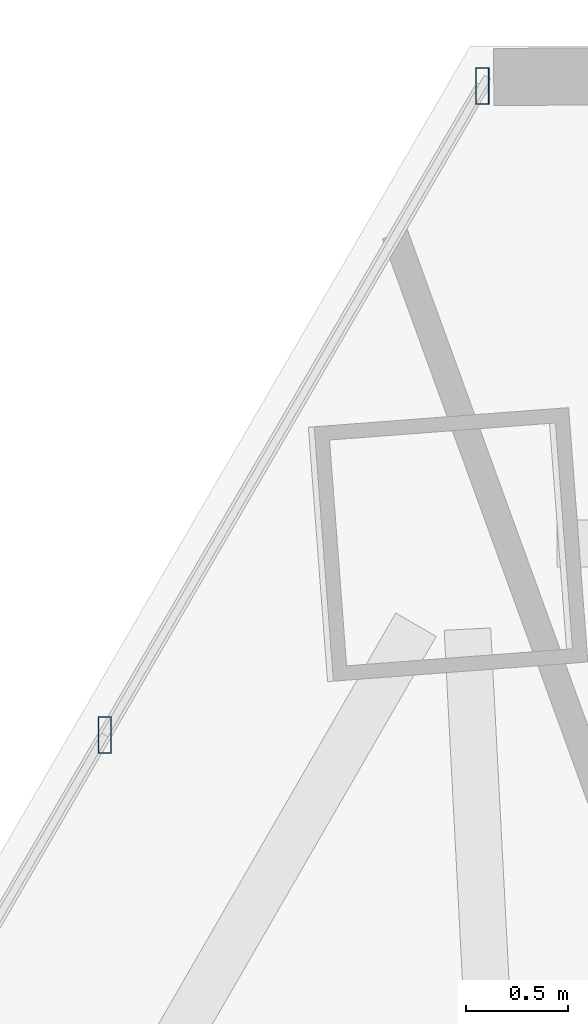
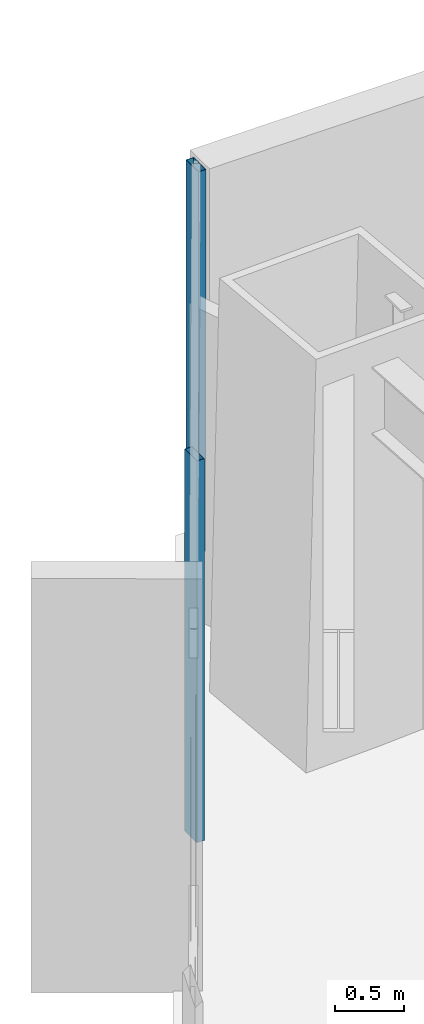
# One storey, part 26 of 36: 2 members, 1 element without a shape of its own.
"""IFC4 building model written with IfcOpenShell, lengths in metres."""

from ifc_helpers import new_model, si_unit, direction, frame, origin, origin_2d, place, context, subcontext, project, spatial, hollow_rectangle, extrude, source, transform, mapped, material, material_profile, profile_set, type_object, type_shapes, element, aggregate, save


model = new_model("IFC4")

# Units and contexts
model_context = context("Model", 3, precision=1e-05, world=origin(), true_north=direction((0.0, 1.0)))
body_context = subcontext(model_context, "Body", "Model", "MODEL_VIEW")
ifc_project = project(units=[si_unit("LENGTHUNIT", "METRE"), si_unit("AREAUNIT", "SQUARE_METRE"), si_unit("VOLUMEUNIT", "CUBIC_METRE"), si_unit("PLANEANGLEUNIT", "RADIAN"), si_unit("MASSUNIT", "GRAM", prefix="KILO")], contexts=[model_context])

# Site, building, storey
site_placement = place(None, origin())
site = spatial("IfcSite", under=ifc_project, at=site_placement, CompositionType="ELEMENT")
building_placement = place(site_placement, origin())
building = spatial("IfcBuilding", under=site, at=building_placement, Name="Caelisora Broadcast Tower", CompositionType="ELEMENT")
storey_placement = place(building_placement, frame((0.0, 0.0, 64.10009765625)))
storey = spatial("IfcBuildingStorey", under=building, at=storey_placement, Name="L16", CompositionType="ELEMENT", Elevation=64.10009765625)

# Curtain wall, members
ifc_material_1 = material(Name="Unitised Aluminium and Low-E Glass Curtain Wall", Category="glass")
curtain_wall_type = type_object("IfcCurtainWallType", Name="CW-Z1", PredefinedType="NOTDEFINED", material=ifc_material_1)
curtain_wall_placement = place(storey_placement, origin())
curtain_wall = element("IfcCurtainWall", 1, at=curtain_wall_placement, inside=storey, type_object=curtain_wall_type, Name="L16 curtain wall CW-Z1", PredefinedType="NOTDEFINED")
ifc_material_2 = material(Name="Aluminium 6063-T6 Anodised Terracotta Bronze", Category="aluminium")
ifc_material_profile = material_profile(ifc_material_2, hollow_rectangle(XDim=0.06494140625, YDim=0.179931640625, WallThickness=0.00341796875, at=origin_2d()), Name="Aluminium 6063-T6 Anodised Terracotta Bronze")
ifc_profile_set = profile_set([ifc_material_profile], Name="Aluminium 6063-T6 Anodised Terracotta Bronze")
member_type = type_object("IfcMemberType", Name="CWM-02", PredefinedType="MULLION", material=ifc_profile_set)
shared_shape = source(origin(), body_context, "Body", "SweptSolid", [
    extrude(hollow_rectangle(XDim=0.06494140625, YDim=0.179931640625, WallThickness=0.00341796875, at=origin_2d()), origin(), (0.0, 0.0, 1.0), 3.39990234375),
])
type_shapes(member_type, [shared_shape])
member_1_placement = place(storey_placement, frame((27.892578125, 45.404541015625, 0.0), z_axis=(0.0, 0.0, 1.0), x_axis=(1.0, 0.0, 0.0)))
member_1 = element("IfcMember", 2, at=member_1_placement, type_object=member_type, Name="L16-CW-B11 mullion #2", PredefinedType="MULLION", context=body_context, shape_type="MappedRepresentation", body=[
    mapped(shared_shape, transform((0.0, 0.0, 0.0), scale=1.0)),
])
member_2_placement = place(storey_placement, frame((29.742919921875, 48.584716796875, 0.0), z_axis=(0.0, 0.0, 1.0), x_axis=(1.0, 0.0, 0.0)))
member_2 = element("IfcMember", 3, at=member_2_placement, type_object=member_type, Name="L16-CW-B11 mullion #3", PredefinedType="MULLION", context=body_context, shape_type="MappedRepresentation", body=[
    mapped(shared_shape, transform((0.0, 0.0, 0.0), scale=1.0)),
])
aggregate(curtain_wall, [member_1, member_2])

save(model, "model.ifc")
